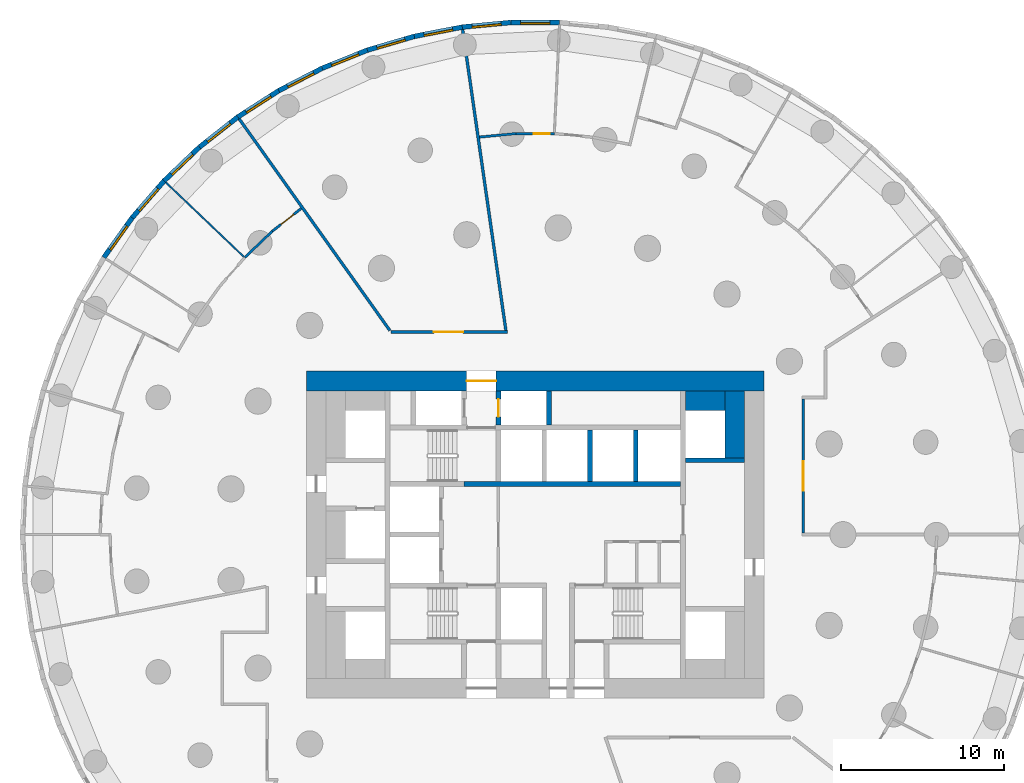
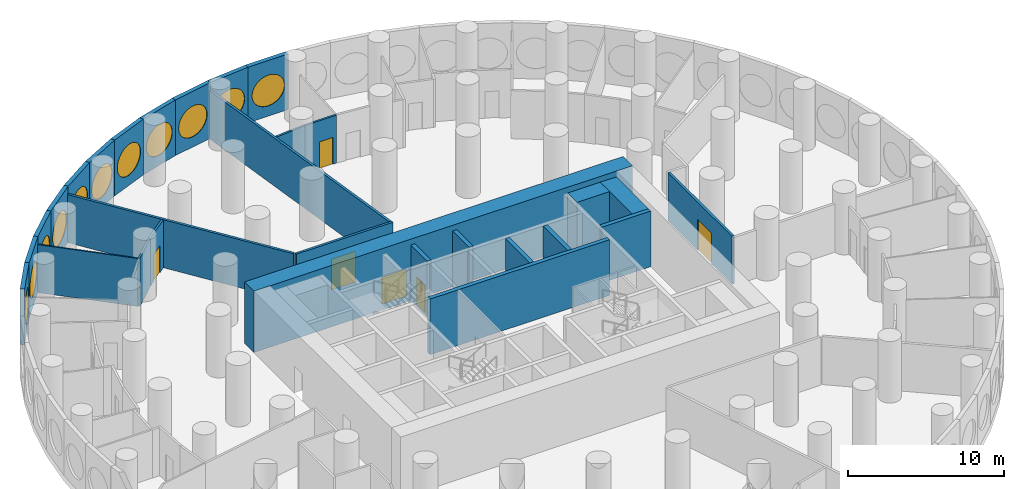
# One storey, part 7 of 11: 29 walls, 11 windows, 6 doors, 17 openings.
"""IFC4 building model written with IfcOpenShell, lengths in metres."""

from ifc_helpers import new_model, si_unit, direction, frame, frame_2d, origin, origin_2d, place, context, subcontext, project, spatial, rectangle, circle, extrude, material, layer, layer_set, type_object, element, fill, save


model = new_model("IFC4")

# Units and contexts
model_context = context("Model", 3, precision=1e-05, world=origin(), true_north=direction((0.0, 1.0)))
body_context = subcontext(model_context, "Body", "Model", "MODEL_VIEW")
ifc_project = project(units=[si_unit("LENGTHUNIT", "METRE"), si_unit("AREAUNIT", "SQUARE_METRE"), si_unit("VOLUMEUNIT", "CUBIC_METRE"), si_unit("PLANEANGLEUNIT", "RADIAN"), si_unit("MASSUNIT", "GRAM", prefix="KILO")], contexts=[model_context])

# Site, building, storey
site_placement = place(None, origin())
site = spatial("IfcSite", under=ifc_project, at=site_placement, CompositionType="ELEMENT")
building_placement = place(site_placement, origin())
building = spatial("IfcBuilding", under=site, at=building_placement, Name="Tracery Tower", CompositionType="ELEMENT")
storey_placement = place(building_placement, frame((0.0, 0.0, 9.0)))
storey = spatial("IfcBuildingStorey", under=building, at=storey_placement, Name="L01", CompositionType="ELEMENT", Elevation=9.0)

# Walls
ifc_material_1 = material(Name="Plasterboard on steel studs", Category="steel")
ifc_layer_1 = layer(ifc_material_1, 0.175048828125)
ifc_layer_set_1 = layer_set([ifc_layer_1], Name="Compartment partition 175")
wall_type_1 = type_object("IfcWallType", Name="Compartment partition 175", PredefinedType="PARTITIONING", material=ifc_layer_set_1)
wall_1_placement = place(storey_placement, frame((-18.11181640625, 25.4345703125, 0.0), z_axis=(0.0, 0.0, 1.0), x_axis=(0.580054828861, -0.814577433713, 0.0)))
element("IfcWall", 1, at=wall_1_placement, inside=storey, type_object=wall_type_1, Name="Compartment partition 175", PredefinedType="PARTITIONING", context=body_context, shape_type="SweptSolid", body=[
    extrude(rectangle(XDim=15.89404296875, YDim=0.175048828125, at=frame_2d((7.947021484375, 0.0))), origin(), (0.0, 0.0, 1.0), 3.75),
])
wall_2_placement = place(storey_placement, frame((-4.443603515625, 30.906494140625, 0.0), z_axis=(0.0, 0.0, 1.0), x_axis=(0.142304751751, -0.989822892051, 0.0)))
element("IfcWall", 2, at=wall_2_placement, inside=storey, type_object=wall_type_1, Name="Compartment partition 175", PredefinedType="PARTITIONING", context=body_context, shape_type="SweptSolid", body=[
    extrude(rectangle(XDim=18.609375, YDim=0.175048828125, at=frame_2d((9.3046875, 0.0))), origin(), (0.0, 0.0, 1.0), 3.75),
])

# Wall, opening, door
wall_3_placement = place(storey_placement, frame((-8.830078125, 12.39990234375, 0.0), z_axis=(0.0, 0.0, 1.0), x_axis=(1.0, 0.0, 0.0)))
wall_3 = element("IfcWall", 3, at=wall_3_placement, inside=storey, type_object=wall_type_1, Name="Compartment partition 175", PredefinedType="PARTITIONING", context=body_context, shape_type="SweptSolid", body=[
    extrude(rectangle(XDim=7.134765625, YDim=0.175048828125, at=frame_2d((3.5673828125, 0.0))), origin(), (0.0, 0.0, 1.0), 3.75),
])
opening_1_placement = place(wall_3_placement, frame((2.62353515625, 0.0, 0.0)))
opening_1 = element("IfcOpeningElement", 4, at=opening_1_placement, cuts=wall_3, Name="Opening SB-L01-09", PredefinedType="OPENING", context=body_context, shape_type="SweptSolid", body=[
    extrude(rectangle(XDim=1.800048828125, YDim=2.39990234375, at=frame_2d((0.89990234375, 1.199951171875))), frame((0.0, 0.08740234375, 0.0), z_axis=(0.0, -1.0, 0.0), x_axis=(1.0, 0.0, 0.0)), (0.0, 0.0, 1.0), 0.175048828125),
])
ifc_material_2 = material(Name="Glazed aluminium door", Category="aluminium")
door_type_1 = type_object("IfcDoorType", Name="Hall double door 1800", OperationType="DOUBLE_DOOR_SINGLE_SWING", PredefinedType="DOOR", material=ifc_material_2)
door_1_placement = place(opening_1_placement, origin())
door_1 = element("IfcDoor", 5, at=door_1_placement, inside=storey, type_object=door_type_1, Name="Hall double door 1800", OperationType="DOUBLE_DOOR_SINGLE_SWING", OverallHeight=2.39990234375, OverallWidth=1.800048828125, PredefinedType="DOOR", context=body_context, shape_type="SweptSolid", body=[
    extrude(rectangle(XDim=1.800048828125, YDim=2.39990234375, at=frame_2d((0.89990234375, 1.199951171875))), frame((0.0, 0.02490234375, 0.0), z_axis=(0.0, -1.0, 0.0), x_axis=(1.0, 0.0, 0.0)), (0.0, 0.0, 1.0), 0.050048828125),
])
fill(opening_1, door_1)

wall_4_placement = place(storey_placement, frame((16.39990234375, 8.3154296875, 0.0), z_axis=(0.0, 0.0, 1.0), x_axis=(0.0, -1.0, 0.0)))
wall_4 = element("IfcWall", 6, at=wall_4_placement, inside=storey, type_object=wall_type_1, Name="Compartment partition 175", PredefinedType="PARTITIONING", context=body_context, shape_type="SweptSolid", body=[
    extrude(rectangle(XDim=8.22802734375, YDim=0.175048828125, at=frame_2d((4.114013671875, 0.0))), origin(), (0.0, 0.0, 1.0), 3.75),
])
opening_2_placement = place(wall_4_placement, frame((3.81396484375, 0.0, 0.0)))
opening_2 = element("IfcOpeningElement", 7, at=opening_2_placement, cuts=wall_4, Name="Opening SB-L01-01", PredefinedType="OPENING", context=body_context, shape_type="SweptSolid", body=[
    extrude(rectangle(XDim=1.800048828125, YDim=2.39990234375, at=frame_2d((0.89990234375, 1.199951171875))), frame((0.0, 0.08740234375, 0.0), z_axis=(0.0, -1.0, 0.0), x_axis=(1.0, 0.0, 0.0)), (0.0, 0.0, 1.0), 0.175048828125),
])
door_2_placement = place(opening_2_placement, origin())
door_2 = element("IfcDoor", 8, at=door_2_placement, inside=storey, type_object=door_type_1, Name="Hall double door 1800", OperationType="DOUBLE_DOOR_SINGLE_SWING", OverallHeight=2.39990234375, OverallWidth=1.800048828125, PredefinedType="DOOR", context=body_context, shape_type="SweptSolid", body=[
    extrude(rectangle(XDim=1.800048828125, YDim=2.39990234375, at=frame_2d((0.89990234375, 1.199951171875))), frame((0.0, 0.02490234375, 0.0), z_axis=(0.0, -1.0, 0.0), x_axis=(1.0, 0.0, 0.0)), (0.0, 0.0, 1.0), 0.050048828125),
])
fill(opening_2, door_2)

# Walls
ifc_material_3 = material(Name="Concrete C60/75", Category="concrete")
ifc_layer_2 = layer(ifc_material_3, 1.199951171875)
ifc_layer_set_2 = layer_set([ifc_layer_2], Name="Core strip wall 1200 C60")
wall_type_2 = type_object("IfcWallType", Name="Core strip wall 1200 C60", PredefinedType="SOLIDWALL", material=ifc_layer_set_2)
wall_5_placement = place(storey_placement, frame((12.199951171875, 4.699951171875, 0.0), z_axis=(0.0, 0.0, 1.0), x_axis=(0.0, 1.0, 0.0)))
element("IfcWall", 9, at=wall_5_placement, inside=storey, type_object=wall_type_2, Name="L01 wing strip +1 4.55", PredefinedType="SOLIDWALL", context=body_context, shape_type="SweptSolid", body=[
    extrude(rectangle(XDim=4.10009765625, YDim=1.199951171875, at=frame_2d((2.050048828125, 0.0))), origin(), (0.0, 0.0, 1.0), 4.35009765625),
])
wall_6_placement = place(storey_placement, frame((9.199951171875, 8.199951171875, 0.0), z_axis=(0.0, 0.0, 1.0), x_axis=(1.0, 0.0, 0.0)))
element("IfcWall", 10, at=wall_6_placement, inside=storey, type_object=wall_type_2, Name="L01 wing corner +1 +8.2", PredefinedType="SOLIDWALL", context=body_context, shape_type="SweptSolid", body=[
    extrude(rectangle(XDim=2.400146484375, YDim=1.199951171875, at=frame_2d((1.2001953125, 0.0))), origin(), (0.0, 0.0, 1.0), 4.35009765625),
])

# Wall, opening, door
ifc_material_4 = material(Name="Concrete C60/75", Category="concrete")
ifc_layer_3 = layer(ifc_material_4, 1.199951171875)
ifc_layer_set_3 = layer_set([ifc_layer_3], Name="Core wall 1200 C60")
wall_type_3 = type_object("IfcWallType", Name="Core wall 1200 C60", PredefinedType="SOLIDWALL", material=ifc_layer_set_3)
wall_7_placement = place(storey_placement, frame((-14.0, 9.39990234375, 0.0), z_axis=(0.0, 0.0, 1.0), x_axis=(1.0, 0.0, 0.0)))
wall_7 = element("IfcWall", 11, at=wall_7_placement, inside=storey, type_object=wall_type_3, Name="L01 outer N", PredefinedType="SOLIDWALL", context=body_context, shape_type="SweptSolid", body=[
    extrude(rectangle(XDim=28.0, YDim=1.199951171875, at=frame_2d((14.0, 0.0))), origin(), (0.0, 0.0, 1.0), 4.800048828125),
])
opening_3_placement = place(wall_7_placement, frame((9.800048828125, 0.0, 0.0)))
opening_3 = element("IfcOpeningElement", 12, at=opening_3_placement, cuts=wall_7, Name="Opening KD13", PredefinedType="OPENING", context=body_context, shape_type="SweptSolid", body=[
    extrude(rectangle(XDim=1.800048828125, YDim=2.10009765625, at=frame_2d((0.89990234375, 1.050048828125))), frame((0.0, 0.60009765625, 0.0), z_axis=(0.0, -1.0, 0.0), x_axis=(1.0, 0.0, 0.0)), (0.0, 0.0, 1.0), 1.199951171875),
])
ifc_material_5 = material(Name="Steel fire door", Category="steel")
door_type_2 = type_object("IfcDoorType", Name="Core exit door 1800 double", OperationType="NOTDEFINED", PredefinedType="DOOR", material=ifc_material_5)
door_3_placement = place(opening_3_placement, origin())
door_3 = element("IfcDoor", 13, at=door_3_placement, inside=storey, type_object=door_type_2, Name="Core exit door", OperationType="DOUBLE_DOOR_SINGLE_SWING", OverallHeight=2.10009765625, OverallWidth=1.800048828125, PredefinedType="DOOR", context=body_context, shape_type="SweptSolid", body=[
    extrude(rectangle(XDim=1.800048828125, YDim=2.10009765625, at=frame_2d((0.89990234375, 1.050048828125))), frame((0.0, 0.02490234375, 0.0), z_axis=(0.0, -1.0, 0.0), x_axis=(1.0, 0.0, 0.0)), (0.0, 0.0, 1.0), 0.050048828125),
])
fill(opening_3, door_3)

# Wall
ifc_material_6 = material(Name="Plasterboard on steel studs", Category="steel")
ifc_layer_4 = layer(ifc_material_6, 0.14990234375)
ifc_layer_set_4 = layer_set([ifc_layer_4], Name="Corridor partition 150")
wall_type_4 = type_object("IfcWallType", Name="Corridor partition 150", PredefinedType="PARTITIONING", material=ifc_layer_set_4)
wall_8_placement = place(storey_placement, frame((-16.087890625, 18.56640625, 0.0), z_axis=(0.0, 0.0, 1.0), x_axis=(-0.723668407542, -0.690147836283, 0.0)))
element("IfcWall", 14, at=wall_8_placement, inside=storey, type_object=wall_type_4, Name="Corridor partition 150", PredefinedType="PARTITIONING", context=body_context, shape_type="SweptSolid", body=[
    extrude(rectangle(XDim=2.337890625, YDim=0.14990234375, at=frame_2d((1.1689453125, 0.0))), origin(), (0.0, 0.0, 1.0), 3.75),
])

# Wall, opening, door
wall_9_placement = place(storey_placement, frame((-16.087890625, 18.56640625, 0.0), z_axis=(0.0, 0.0, 1.0), x_axis=(0.786084691739, 0.618118805258, 0.0)))
wall_9 = element("IfcWall", 15, at=wall_9_placement, inside=storey, type_object=wall_type_4, Name="Corridor partition 150", PredefinedType="PARTITIONING", context=body_context, shape_type="SweptSolid", body=[
    extrude(rectangle(XDim=2.24853515625, YDim=0.14990234375, at=frame_2d((1.124267578125, 0.0))), origin(), (0.0, 0.0, 1.0), 3.75),
])
opening_4_placement = place(wall_9_placement, frame((0.6689453125, 0.0, 0.0)))
opening_4 = element("IfcOpeningElement", 16, at=opening_4_placement, cuts=wall_9, Name="Opening SB-L01-10", PredefinedType="OPENING", context=body_context, shape_type="SweptSolid", body=[
    extrude(rectangle(XDim=1.0, YDim=2.10009765625, at=frame_2d((0.5, 1.050048828125))), frame((0.0, 0.074951171875, 0.0), z_axis=(0.0, -1.0, 0.0), x_axis=(1.0, 0.0, 0.0)), (0.0, 0.0, 1.0), 0.14990234375),
])
ifc_material_7 = material(Name="Timber door leaf", Category="wood")
door_type_3 = type_object("IfcDoorType", Name="Public room door 1000", OperationType="NOTDEFINED", PredefinedType="DOOR", material=ifc_material_7)
door_4_placement = place(opening_4_placement, origin())
door_4 = element("IfcDoor", 17, at=door_4_placement, inside=storey, type_object=door_type_3, Name="Public room door 1000", OperationType="SINGLE_SWING_RIGHT", OverallHeight=2.10009765625, OverallWidth=1.0, PredefinedType="DOOR", context=body_context, shape_type="SweptSolid", body=[
    extrude(rectangle(XDim=1.0, YDim=2.10009765625, at=frame_2d((0.5, 1.050048828125))), frame((0.0, 0.02490234375, 0.0), z_axis=(0.0, -1.0, 0.0), x_axis=(1.0, 0.0, 0.0)), (0.0, 0.0, 1.0), 0.050048828125),
])
fill(opening_4, door_4)

# Wall
wall_10_placement = place(storey_placement, frame((-1.1689453125, 24.538818359375, 0.0), z_axis=(0.0, 0.0, 1.0), x_axis=(-0.995476420249, -0.095008929725, 0.0)))
element("IfcWall", 18, at=wall_10_placement, inside=storey, type_object=wall_type_4, Name="Corridor partition 150", PredefinedType="PARTITIONING", context=body_context, shape_type="SweptSolid", body=[
    extrude(rectangle(XDim=2.24853515625, YDim=0.14990234375, at=frame_2d((1.124267578125, 0.0))), origin(), (0.0, 0.0, 1.0), 3.75),
])

# Wall, opening, door
wall_11_placement = place(storey_placement, frame((-1.1689453125, 24.538818359375, 0.0), z_axis=(0.0, 0.0, 1.0), x_axis=(1.0, 0.0, 0.0)))
wall_11 = element("IfcWall", 19, at=wall_11_placement, inside=storey, type_object=wall_type_4, Name="Corridor partition 150", PredefinedType="PARTITIONING", context=body_context, shape_type="SweptSolid", body=[
    extrude(rectangle(XDim=2.337890625, YDim=0.14990234375, at=frame_2d((1.1689453125, 0.0))), origin(), (0.0, 0.0, 1.0), 3.75),
])
opening_5_placement = place(wall_11_placement, frame((1.06884765625, 0.0, 0.0)))
opening_5 = element("IfcOpeningElement", 20, at=opening_5_placement, cuts=wall_11, Name="Opening SB-L01-08", PredefinedType="OPENING", context=body_context, shape_type="SweptSolid", body=[
    extrude(rectangle(XDim=1.0, YDim=2.10009765625, at=frame_2d((0.5, 1.050048828125))), frame((0.0, 0.074951171875, 0.0), z_axis=(0.0, -1.0, 0.0), x_axis=(1.0, 0.0, 0.0)), (0.0, 0.0, 1.0), 0.14990234375),
])
door_5_placement = place(opening_5_placement, origin())
door_5 = element("IfcDoor", 21, at=door_5_placement, inside=storey, type_object=door_type_3, Name="Public room door 1000", OperationType="SINGLE_SWING_RIGHT", OverallHeight=2.10009765625, OverallWidth=1.0, PredefinedType="DOOR", context=body_context, shape_type="SweptSolid", body=[
    extrude(rectangle(XDim=1.0, YDim=2.10009765625, at=frame_2d((0.5, 1.050048828125))), frame((0.0, 0.02490234375, 0.0), z_axis=(0.0, -1.0, 0.0), x_axis=(1.0, 0.0, 0.0)), (0.0, 0.0, 1.0), 0.050048828125),
])
fill(opening_5, door_5)

# Wall, opening, window
ifc_material_8 = material(Name="Precast concrete C50/60", Category="concrete")
ifc_layer_5 = layer(ifc_material_8, 0.300048828125)
ifc_layer_set_5 = layer_set([ifc_layer_5], Name="Facade panel 3000 x 4350")
wall_type_5 = type_object("IfcWallType", Name="Facade panel 3000 x 4350", PredefinedType="SOLIDWALL", material=ifc_layer_set_5)
wall_12_placement = place(storey_placement, frame((1.492919921875, 31.3388671875, 0.0), z_axis=(0.0, 0.0, 1.0), x_axis=(-1.0, 0.0, 0.0)))
wall_12 = element("IfcWall", 22, at=wall_12_placement, inside=storey, type_object=wall_type_5, Name="Facade panel 17 at L01", PredefinedType="SOLIDWALL", context=body_context, shape_type="SweptSolid", body=[
    extrude(rectangle(XDim=2.98583984375, YDim=0.300048828125, at=frame_2d((1.492919921875, 0.0))), origin(), (0.0, 0.0, 1.0), 4.35009765625),
])
opening_6_placement = place(wall_12_placement, frame((1.492919921875, 0.0, 2.0)))
opening_6 = element("IfcOpeningElement", 23, at=opening_6_placement, cuts=wall_12, Name="Opening WN2", PredefinedType="OPENING", context=body_context, shape_type="SweptSolid", body=[
    extrude(circle(Radius=1.199951171875, at=origin_2d()), frame((0.0, 0.159912109375, 0.0), z_axis=(0.0, -1.0, 0.0), x_axis=(1.0, 0.0, 0.0)), (0.0, 0.0, 1.0), 0.320068359375),
])
ifc_material_9 = material(Name="Aluminium frame with tinted double glazing", Category="aluminium")
window_type = type_object("IfcWindowType", Name="Round window 2400", PartitioningType="SINGLE_PANEL", PredefinedType="WINDOW", material=ifc_material_9)
window_1_placement = place(opening_6_placement, origin())
window_1 = element("IfcWindow", 24, at=window_1_placement, inside=storey, type_object=window_type, Name="Round window 17 at L01", OverallHeight=2.39990234375, OverallWidth=2.39990234375, PartitioningType="SINGLE_PANEL", PredefinedType="WINDOW", context=body_context, shape_type="SweptSolid", body=[
    extrude(circle(Radius=1.199951171875, at=origin_2d()), frame((0.0, 0.1201171875, 0.0), z_axis=(0.0, -1.0, 0.0), x_axis=(1.0, 0.0, 0.0)), (0.0, 0.0, 1.0), 0.10009765625),
])
fill(opening_6, window_1)

wall_13_placement = place(storey_placement, frame((-1.492919921875, 31.3388671875, 0.0), z_axis=(0.0, 0.0, 1.0), x_axis=(-0.99547560533, -0.095017467833, 0.0)))
wall_13 = element("IfcWall", 25, at=wall_13_placement, inside=storey, type_object=wall_type_5, Name="Facade panel 18 at L01", PredefinedType="SOLIDWALL", context=body_context, shape_type="SweptSolid", body=[
    extrude(rectangle(XDim=2.985595703125, YDim=0.300048828125, at=frame_2d((1.49267578125, 0.0))), origin(), (0.0, 0.0, 1.0), 4.35009765625),
])
opening_7_placement = place(wall_13_placement, frame((1.492919921875, 0.0, 2.0)))
opening_7 = element("IfcOpeningElement", 26, at=opening_7_placement, cuts=wall_13, Name="Opening WN2", PredefinedType="OPENING", context=body_context, shape_type="SweptSolid", body=[
    extrude(circle(Radius=1.199951171875, at=origin_2d()), frame((0.0, 0.159912109375, 0.0), z_axis=(0.0, -1.0, 0.0), x_axis=(1.0, 0.0, 0.0)), (0.0, 0.0, 1.0), 0.320068359375),
])
window_2_placement = place(opening_7_placement, origin())
window_2 = element("IfcWindow", 27, at=window_2_placement, inside=storey, type_object=window_type, Name="Round window 18 at L01", OverallHeight=2.39990234375, OverallWidth=2.39990234375, PartitioningType="SINGLE_PANEL", PredefinedType="WINDOW", context=body_context, shape_type="SweptSolid", body=[
    extrude(circle(Radius=1.199951171875, at=origin_2d()), frame((0.0, 0.1201171875, 0.0), z_axis=(0.0, -1.0, 0.0), x_axis=(1.0, 0.0, 0.0)), (0.0, 0.0, 1.0), 0.10009765625),
])
fill(opening_7, window_2)

wall_14_placement = place(storey_placement, frame((-4.465087890625, 31.05517578125, 0.0), z_axis=(0.0, 0.0, 1.0), x_axis=(-0.981918853666, -0.189302310646, 0.0)))
wall_14 = element("IfcWall", 28, at=wall_14_placement, inside=storey, type_object=wall_type_5, Name="Facade panel 19 at L01", PredefinedType="SOLIDWALL", context=body_context, shape_type="SweptSolid", body=[
    extrude(rectangle(XDim=2.985595703125, YDim=0.300048828125, at=frame_2d((1.49267578125, 0.0))), origin(), (0.0, 0.0, 1.0), 4.35009765625),
])
opening_8_placement = place(wall_14_placement, frame((1.492919921875, 0.0, 2.0)))
opening_8 = element("IfcOpeningElement", 29, at=opening_8_placement, cuts=wall_14, Name="Opening WN2", PredefinedType="OPENING", context=body_context, shape_type="SweptSolid", body=[
    extrude(circle(Radius=1.199951171875, at=origin_2d()), frame((0.0, 0.159912109375, 0.0), z_axis=(0.0, -1.0, 0.0), x_axis=(1.0, 0.0, 0.0)), (0.0, 0.0, 1.0), 0.320068359375),
])
window_3_placement = place(opening_8_placement, origin())
window_3 = element("IfcWindow", 30, at=window_3_placement, inside=storey, type_object=window_type, Name="Round window 19 at L01", OverallHeight=2.39990234375, OverallWidth=2.39990234375, PartitioningType="SINGLE_PANEL", PredefinedType="WINDOW", context=body_context, shape_type="SweptSolid", body=[
    extrude(circle(Radius=1.199951171875, at=origin_2d()), frame((0.0, 0.1201171875, 0.0), z_axis=(0.0, -1.0, 0.0), x_axis=(1.0, 0.0, 0.0)), (0.0, 0.0, 1.0), 0.10009765625),
])
fill(opening_8, window_3)

wall_15_placement = place(storey_placement, frame((-7.396728515625, 30.489990234375, 0.0), z_axis=(0.0, 0.0, 1.0), x_axis=(-0.959502108153, -0.281701445593, 0.0)))
wall_15 = element("IfcWall", 31, at=wall_15_placement, inside=storey, type_object=wall_type_5, Name="Facade panel 20 at L01", PredefinedType="SOLIDWALL", context=body_context, shape_type="SweptSolid", body=[
    extrude(rectangle(XDim=2.985595703125, YDim=0.300048828125, at=frame_2d((1.49267578125, 0.0))), origin(), (0.0, 0.0, 1.0), 4.35009765625),
])
opening_9_placement = place(wall_15_placement, frame((1.492919921875, 0.0, 2.0)))
opening_9 = element("IfcOpeningElement", 32, at=opening_9_placement, cuts=wall_15, Name="Opening WN2", PredefinedType="OPENING", context=body_context, shape_type="SweptSolid", body=[
    extrude(circle(Radius=1.199951171875, at=origin_2d()), frame((0.0, 0.159912109375, 0.0), z_axis=(0.0, -1.0, 0.0), x_axis=(1.0, 0.0, 0.0)), (0.0, 0.0, 1.0), 0.320068359375),
])
window_4_placement = place(opening_9_placement, origin())
window_4 = element("IfcWindow", 33, at=window_4_placement, inside=storey, type_object=window_type, Name="Round window 20 at L01", OverallHeight=2.39990234375, OverallWidth=2.39990234375, PartitioningType="SINGLE_PANEL", PredefinedType="WINDOW", context=body_context, shape_type="SweptSolid", body=[
    extrude(circle(Radius=1.199951171875, at=origin_2d()), frame((0.0, 0.1201171875, 0.0), z_axis=(0.0, -1.0, 0.0), x_axis=(1.0, 0.0, 0.0)), (0.0, 0.0, 1.0), 0.10009765625),
])
fill(opening_9, window_4)

wall_16_placement = place(storey_placement, frame((-10.261474609375, 29.64892578125, 0.0), z_axis=(0.0, 0.0, 1.0), x_axis=(-0.928380795373, -0.371630325434, 0.0)))
wall_16 = element("IfcWall", 34, at=wall_16_placement, inside=storey, type_object=wall_type_5, Name="Facade panel 21 at L01", PredefinedType="SOLIDWALL", context=body_context, shape_type="SweptSolid", body=[
    extrude(rectangle(XDim=2.98583984375, YDim=0.300048828125, at=frame_2d((1.492919921875, 0.0))), origin(), (0.0, 0.0, 1.0), 4.35009765625),
])
opening_10_placement = place(wall_16_placement, frame((1.492919921875, 0.0, 2.0)))
opening_10 = element("IfcOpeningElement", 35, at=opening_10_placement, cuts=wall_16, Name="Opening WN2", PredefinedType="OPENING", context=body_context, shape_type="SweptSolid", body=[
    extrude(circle(Radius=1.199951171875, at=origin_2d()), frame((0.0, 0.159912109375, 0.0), z_axis=(0.0, -1.0, 0.0), x_axis=(1.0, 0.0, 0.0)), (0.0, 0.0, 1.0), 0.320068359375),
])
window_5_placement = place(opening_10_placement, origin())
window_5 = element("IfcWindow", 36, at=window_5_placement, inside=storey, type_object=window_type, Name="Round window 21 at L01", OverallHeight=2.39990234375, OverallWidth=2.39990234375, PartitioningType="SINGLE_PANEL", PredefinedType="WINDOW", context=body_context, shape_type="SweptSolid", body=[
    extrude(circle(Radius=1.199951171875, at=origin_2d()), frame((0.0, 0.1201171875, 0.0), z_axis=(0.0, -1.0, 0.0), x_axis=(1.0, 0.0, 0.0)), (0.0, 0.0, 1.0), 0.10009765625),
])
fill(opening_10, window_5)

wall_17_placement = place(storey_placement, frame((-13.033447265625, 28.539306640625, 0.0), z_axis=(0.0, 0.0, 1.0), x_axis=(-0.888831268481, -0.458234630043, 0.0)))
wall_17 = element("IfcWall", 37, at=wall_17_placement, inside=storey, type_object=wall_type_5, Name="Facade panel 22 at L01", PredefinedType="SOLIDWALL", context=body_context, shape_type="SweptSolid", body=[
    extrude(rectangle(XDim=2.98583984375, YDim=0.300048828125, at=frame_2d((1.492919921875, 0.0))), origin(), (0.0, 0.0, 1.0), 4.35009765625),
])
opening_11_placement = place(wall_17_placement, frame((1.492919921875, 0.0, 2.0)))
opening_11 = element("IfcOpeningElement", 38, at=opening_11_placement, cuts=wall_17, Name="Opening WN2", PredefinedType="OPENING", context=body_context, shape_type="SweptSolid", body=[
    extrude(circle(Radius=1.199951171875, at=origin_2d()), frame((0.0, 0.159912109375, 0.0), z_axis=(0.0, -1.0, 0.0), x_axis=(1.0, 0.0, 0.0)), (0.0, 0.0, 1.0), 0.320068359375),
])
window_6_placement = place(opening_11_placement, origin())
window_6 = element("IfcWindow", 39, at=window_6_placement, inside=storey, type_object=window_type, Name="Round window 22 at L01", OverallHeight=2.39990234375, OverallWidth=2.39990234375, PartitioningType="SINGLE_PANEL", PredefinedType="WINDOW", context=body_context, shape_type="SweptSolid", body=[
    extrude(circle(Radius=1.199951171875, at=origin_2d()), frame((0.0, 0.1201171875, 0.0), z_axis=(0.0, -1.0, 0.0), x_axis=(1.0, 0.0, 0.0)), (0.0, 0.0, 1.0), 0.10009765625),
])
fill(opening_11, window_6)

wall_18_placement = place(storey_placement, frame((-15.687255859375, 27.171142578125, 0.0), z_axis=(0.0, 0.0, 1.0), x_axis=(-0.841242231846, -0.540658401727, 0.0)))
wall_18 = element("IfcWall", 40, at=wall_18_placement, inside=storey, type_object=wall_type_5, Name="Facade panel 23 at L01", PredefinedType="SOLIDWALL", context=body_context, shape_type="SweptSolid", body=[
    extrude(rectangle(XDim=2.98583984375, YDim=0.300048828125, at=frame_2d((1.492919921875, 0.0))), origin(), (0.0, 0.0, 1.0), 4.35009765625),
])
opening_12_placement = place(wall_18_placement, frame((1.492919921875, 0.0, 2.0)))
opening_12 = element("IfcOpeningElement", 41, at=opening_12_placement, cuts=wall_18, Name="Opening WN2", PredefinedType="OPENING", context=body_context, shape_type="SweptSolid", body=[
    extrude(circle(Radius=1.199951171875, at=origin_2d()), frame((0.0, 0.159912109375, 0.0), z_axis=(0.0, -1.0, 0.0), x_axis=(1.0, 0.0, 0.0)), (0.0, 0.0, 1.0), 0.320068359375),
])
window_7_placement = place(opening_12_placement, origin())
window_7 = element("IfcWindow", 42, at=window_7_placement, inside=storey, type_object=window_type, Name="Round window 23 at L01", OverallHeight=2.39990234375, OverallWidth=2.39990234375, PartitioningType="SINGLE_PANEL", PredefinedType="WINDOW", context=body_context, shape_type="SweptSolid", body=[
    extrude(circle(Radius=1.199951171875, at=origin_2d()), frame((0.0, 0.1201171875, 0.0), z_axis=(0.0, -1.0, 0.0), x_axis=(1.0, 0.0, 0.0)), (0.0, 0.0, 1.0), 0.10009765625),
])
fill(opening_12, window_7)

wall_19_placement = place(storey_placement, frame((-18.198974609375, 25.556884765625, 0.0), z_axis=(0.0, 0.0, 1.0), x_axis=(-0.786043032847, -0.618171780747, 0.0)))
wall_19 = element("IfcWall", 43, at=wall_19_placement, inside=storey, type_object=wall_type_5, Name="Facade panel 24 at L01", PredefinedType="SOLIDWALL", context=body_context, shape_type="SweptSolid", body=[
    extrude(rectangle(XDim=2.98583984375, YDim=0.300048828125, at=frame_2d((1.492919921875, 0.0))), origin(), (0.0, 0.0, 1.0), 4.35009765625),
])
opening_13_placement = place(wall_19_placement, frame((1.492919921875, 0.0, 2.0)))
opening_13 = element("IfcOpeningElement", 44, at=opening_13_placement, cuts=wall_19, Name="Opening WN2", PredefinedType="OPENING", context=body_context, shape_type="SweptSolid", body=[
    extrude(circle(Radius=1.199951171875, at=origin_2d()), frame((0.0, 0.159912109375, 0.0), z_axis=(0.0, -1.0, 0.0), x_axis=(1.0, 0.0, 0.0)), (0.0, 0.0, 1.0), 0.320068359375),
])
window_8_placement = place(opening_13_placement, origin())
window_8 = element("IfcWindow", 45, at=window_8_placement, inside=storey, type_object=window_type, Name="Round window 24 at L01", OverallHeight=2.39990234375, OverallWidth=2.39990234375, PartitioningType="SINGLE_PANEL", PredefinedType="WINDOW", context=body_context, shape_type="SweptSolid", body=[
    extrude(circle(Radius=1.199951171875, at=origin_2d()), frame((0.0, 0.1201171875, 0.0), z_axis=(0.0, -1.0, 0.0), x_axis=(1.0, 0.0, 0.0)), (0.0, 0.0, 1.0), 0.10009765625),
])
fill(opening_13, window_8)

wall_20_placement = place(storey_placement, frame((-20.5458984375, 23.711181640625, 0.0), z_axis=(0.0, 0.0, 1.0), x_axis=(-0.723750841228, -0.690061388444, 0.0)))
wall_20 = element("IfcWall", 46, at=wall_20_placement, inside=storey, type_object=wall_type_5, Name="Facade panel 25 at L01", PredefinedType="SOLIDWALL", context=body_context, shape_type="SweptSolid", body=[
    extrude(rectangle(XDim=2.985595703125, YDim=0.300048828125, at=frame_2d((1.49267578125, 0.0))), origin(), (0.0, 0.0, 1.0), 4.35009765625),
])
opening_14_placement = place(wall_20_placement, frame((1.492919921875, 0.0, 2.0)))
opening_14 = element("IfcOpeningElement", 47, at=opening_14_placement, cuts=wall_20, Name="Opening WN2", PredefinedType="OPENING", context=body_context, shape_type="SweptSolid", body=[
    extrude(circle(Radius=1.199951171875, at=origin_2d()), frame((0.0, 0.159912109375, 0.0), z_axis=(0.0, -1.0, 0.0), x_axis=(1.0, 0.0, 0.0)), (0.0, 0.0, 1.0), 0.320068359375),
])
window_9_placement = place(opening_14_placement, origin())
window_9 = element("IfcWindow", 48, at=window_9_placement, inside=storey, type_object=window_type, Name="Round window 25 at L01", OverallHeight=2.39990234375, OverallWidth=2.39990234375, PartitioningType="SINGLE_PANEL", PredefinedType="WINDOW", context=body_context, shape_type="SweptSolid", body=[
    extrude(circle(Radius=1.199951171875, at=origin_2d()), frame((0.0, 0.1201171875, 0.0), z_axis=(0.0, -1.0, 0.0), x_axis=(1.0, 0.0, 0.0)), (0.0, 0.0, 1.0), 0.10009765625),
])
fill(opening_14, window_9)

wall_21_placement = place(storey_placement, frame((-22.706787109375, 21.65087890625, 0.0), z_axis=(0.0, 0.0, 1.0), x_axis=(-0.654809121128, -0.755794294029, 0.0)))
wall_21 = element("IfcWall", 49, at=wall_21_placement, inside=storey, type_object=wall_type_5, Name="Facade panel 26 at L01", PredefinedType="SOLIDWALL", context=body_context, shape_type="SweptSolid", body=[
    extrude(rectangle(XDim=2.98583984375, YDim=0.300048828125, at=frame_2d((1.492919921875, 0.0))), origin(), (0.0, 0.0, 1.0), 4.35009765625),
])
opening_15_placement = place(wall_21_placement, frame((1.492919921875, 0.0, 2.0)))
opening_15 = element("IfcOpeningElement", 50, at=opening_15_placement, cuts=wall_21, Name="Opening WN2", PredefinedType="OPENING", context=body_context, shape_type="SweptSolid", body=[
    extrude(circle(Radius=1.199951171875, at=origin_2d()), frame((0.0, 0.159912109375, 0.0), z_axis=(0.0, -1.0, 0.0), x_axis=(1.0, 0.0, 0.0)), (0.0, 0.0, 1.0), 0.320068359375),
])
window_10_placement = place(opening_15_placement, origin())
window_10 = element("IfcWindow", 51, at=window_10_placement, inside=storey, type_object=window_type, Name="Round window 26 at L01", OverallHeight=2.39990234375, OverallWidth=2.39990234375, PartitioningType="SINGLE_PANEL", PredefinedType="WINDOW", context=body_context, shape_type="SweptSolid", body=[
    extrude(circle(Radius=1.199951171875, at=origin_2d()), frame((0.0, 0.1201171875, 0.0), z_axis=(0.0, -1.0, 0.0), x_axis=(1.0, 0.0, 0.0)), (0.0, 0.0, 1.0), 0.10009765625),
])
fill(opening_15, window_10)

wall_22_placement = place(storey_placement, frame((-24.661865234375, 19.394287109375, 0.0), z_axis=(0.0, 0.0, 1.0), x_axis=(-0.580100533892, -0.814544885551, 0.0)))
wall_22 = element("IfcWall", 52, at=wall_22_placement, inside=storey, type_object=wall_type_5, Name="Facade panel 27 at L01", PredefinedType="SOLIDWALL", context=body_context, shape_type="SweptSolid", body=[
    extrude(rectangle(XDim=2.985595703125, YDim=0.300048828125, at=frame_2d((1.49267578125, 0.0))), origin(), (0.0, 0.0, 1.0), 4.35009765625),
])
opening_16_placement = place(wall_22_placement, frame((1.492919921875, 0.0, 2.0)))
opening_16 = element("IfcOpeningElement", 53, at=opening_16_placement, cuts=wall_22, Name="Opening WN2", PredefinedType="OPENING", context=body_context, shape_type="SweptSolid", body=[
    extrude(circle(Radius=1.199951171875, at=origin_2d()), frame((0.0, 0.159912109375, 0.0), z_axis=(0.0, -1.0, 0.0), x_axis=(1.0, 0.0, 0.0)), (0.0, 0.0, 1.0), 0.320068359375),
])
window_11_placement = place(opening_16_placement, origin())
window_11 = element("IfcWindow", 54, at=window_11_placement, inside=storey, type_object=window_type, Name="Round window 27 at L01", OverallHeight=2.39990234375, OverallWidth=2.39990234375, PartitioningType="SINGLE_PANEL", PredefinedType="WINDOW", context=body_context, shape_type="SweptSolid", body=[
    extrude(circle(Radius=1.199951171875, at=origin_2d()), frame((0.0, 0.1201171875, 0.0), z_axis=(0.0, -1.0, 0.0), x_axis=(1.0, 0.0, 0.0)), (0.0, 0.0, 1.0), 0.10009765625),
])
fill(opening_16, window_11)

# Walls
ifc_material_10 = material(Name="Concrete C60/75", Category="concrete")
ifc_layer_6 = layer(ifc_material_10, 0.300048828125)
ifc_layer_set_6 = layer_set([ifc_layer_6], Name="Shaft wall 300 C60")
wall_type_6 = type_object("IfcWallType", Name="Shaft wall 300 C60", PredefinedType="SOLIDWALL", material=ifc_layer_set_6)
for number, where, z_axis, x_axis, name in (
    (55, (3.35009765625, 3.25, 0.0), (0.0, 0.0, 1.0), (0.0, 1.0, 0.0), "L01 HR sep 2"),
    (56, (6.14990234375, 3.25, 0.0), (0.0, 0.0, 1.0), (0.0, 1.0, 0.0), "L01 HR sep 3"),
):
    element("IfcWall", number, at=place(storey_placement, frame(where, z_axis=z_axis, x_axis=x_axis)), inside=storey, type_object=wall_type_6, Name=name, PredefinedType="SOLIDWALL", context=body_context, shape_type="SweptSolid", body=[
        extrude(rectangle(XDim=3.14990234375, YDim=0.300048828125, at=frame_2d((1.574951171875, 0.0))), origin(), (0.0, 0.0, 1.0), 4.35009765625),
    ])
wall_23_placement = place(storey_placement, frame((0.85009765625, 6.699951171875, 0.0), z_axis=(0.0, 0.0, 1.0), x_axis=(0.0, 1.0, 0.0)))
element("IfcWall", 57, at=wall_23_placement, inside=storey, type_object=wall_type_6, Name="L01 LR sep 0.85", PredefinedType="SOLIDWALL", context=body_context, shape_type="SweptSolid", body=[
    extrude(rectangle(XDim=2.10009765625, YDim=0.300048828125, at=frame_2d((1.050048828125, 0.0))), origin(), (0.0, 0.0, 1.0), 4.35009765625),
])
wall_24_placement = place(storey_placement, frame((9.199951171875, 4.550048828125, 0.0), z_axis=(0.0, 0.0, 1.0), x_axis=(1.0, 0.0, 0.0)))
element("IfcWall", 58, at=wall_24_placement, inside=storey, type_object=wall_type_6, Name="L01 wing shaft wall +1 +4.55", PredefinedType="SOLIDWALL", context=body_context, shape_type="SweptSolid", body=[
    extrude(rectangle(XDim=3.60009765625, YDim=0.300048828125, at=frame_2d((1.800048828125, 0.0))), origin(), (0.0, 0.0, 1.0), 4.35009765625),
])
ifc_material_11 = material(Name="Concrete C60/75", Category="concrete")
ifc_layer_7 = layer(ifc_material_11, 0.300048828125)
ifc_layer_set_7 = layer_set([ifc_layer_7], Name="Stair wall 300 C60")
wall_type_7 = type_object("IfcWallType", Name="Stair wall 300 C60", PredefinedType="SOLIDWALL", material=ifc_layer_set_7)
wall_25_placement = place(storey_placement, frame((-4.35009765625, 3.10009765625, 0.0), z_axis=(0.0, 0.0, 1.0), x_axis=(1.0, 0.0, 0.0)))
element("IfcWall", 59, at=wall_25_placement, inside=storey, type_object=wall_type_7, Name="L01 row N", PredefinedType="SOLIDWALL", context=body_context, shape_type="SweptSolid", body=[
    extrude(rectangle(XDim=13.25, YDim=0.300048828125, at=frame_2d((6.625, 0.0))), origin(), (0.0, 0.0, 1.0), 4.35009765625),
])

# Wall, opening, door
wall_26_placement = place(storey_placement, frame((-2.25, 6.699951171875, 0.0), z_axis=(0.0, 0.0, 1.0), x_axis=(0.0, 1.0, 0.0)))
wall_26 = element("IfcWall", 60, at=wall_26_placement, inside=storey, type_object=wall_type_7, Name="L01 ST3 E out", PredefinedType="SOLIDWALL", context=body_context, shape_type="SweptSolid", body=[
    extrude(rectangle(XDim=2.10009765625, YDim=0.300048828125, at=frame_2d((1.050048828125, 0.0))), origin(), (0.0, 0.0, 1.0), 4.35009765625),
])
opening_17_placement = place(wall_26_placement, frame((0.5, 0.0, 0.0)))
opening_17 = element("IfcOpeningElement", 61, at=opening_17_placement, cuts=wall_26, Name="Opening KD49", PredefinedType="OPENING", context=body_context, shape_type="SweptSolid", body=[
    extrude(rectangle(XDim=1.10009765625, YDim=2.10009765625, at=frame_2d((0.550048828125, 1.050048828125))), frame((0.0, 0.14990234375, 0.0), z_axis=(0.0, -1.0, 0.0), x_axis=(1.0, 0.0, 0.0)), (0.0, 0.0, 1.0), 0.300048828125),
])
ifc_material_12 = material(Name="Steel fire door", Category="steel")
door_type_4 = type_object("IfcDoorType", Name="Landing door 1100", OperationType="NOTDEFINED", PredefinedType="DOOR", material=ifc_material_12)
door_6_placement = place(opening_17_placement, origin())
door_6 = element("IfcDoor", 62, at=door_6_placement, inside=storey, type_object=door_type_4, Name="Landing door LR2", OperationType="SLIDING_TO_LEFT", OverallHeight=2.10009765625, OverallWidth=1.10009765625, PredefinedType="DOOR", context=body_context, shape_type="SweptSolid", body=[
    extrude(rectangle(XDim=1.10009765625, YDim=2.10009765625, at=frame_2d((0.550048828125, 1.050048828125))), frame((0.0, 0.02490234375, 0.0), z_axis=(0.0, -1.0, 0.0), x_axis=(1.0, 0.0, 0.0)), (0.0, 0.0, 1.0), 0.050048828125),
])
fill(opening_17, door_6)

# Wall
ifc_material_13 = material(Name="Plasterboard on steel studs", Category="steel")
ifc_layer_8 = layer(ifc_material_13, 0.10009765625)
ifc_layer_set_8 = layer_set([ifc_layer_8], Name="Stud partition 100")
wall_type_8 = type_object("IfcWallType", Name="Stud partition 100", PredefinedType="PARTITIONING", material=ifc_layer_set_8)
wall_27_placement = place(storey_placement, frame((-22.59814453125, 21.547119140625, 0.0), z_axis=(0.0, 0.0, 1.0), x_axis=(0.723762960711, -0.690048677054, 0.0)))
element("IfcWall", 63, at=wall_27_placement, inside=storey, type_object=wall_type_8, Name="Stud partition 100", PredefinedType="PARTITIONING", context=body_context, shape_type="SweptSolid", body=[
    extrude(rectangle(XDim=6.58251953125, YDim=0.10009765625, at=frame_2d((3.291259765625, 0.0))), origin(), (0.0, 0.0, 1.0), 3.75),
])

save(model, "model.ifc")
